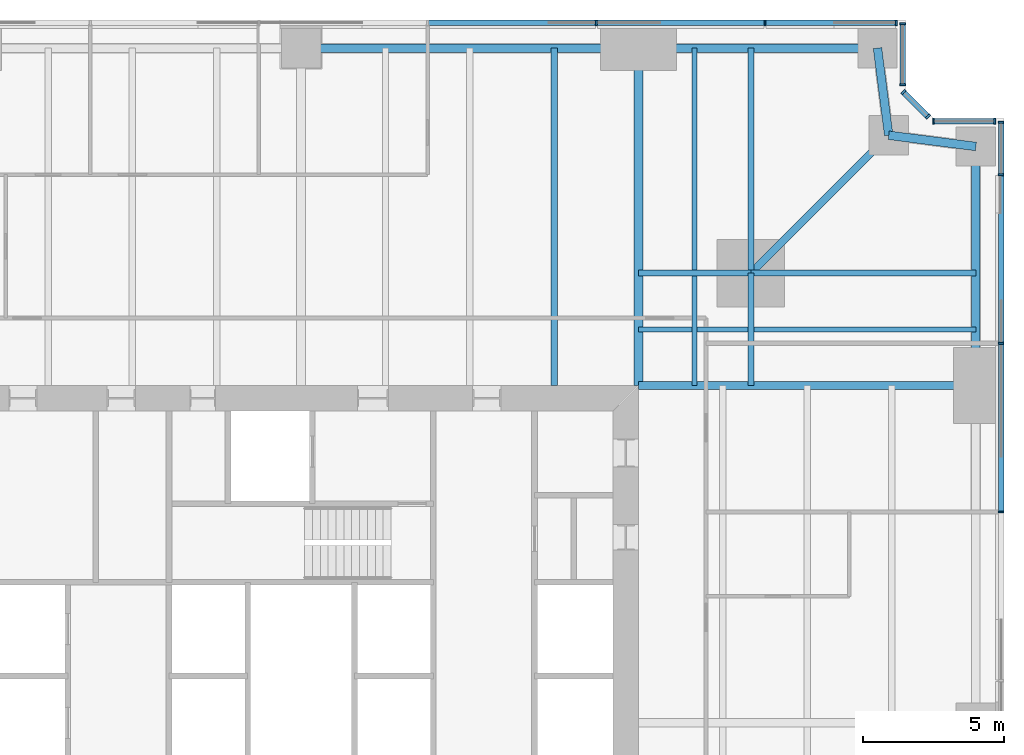
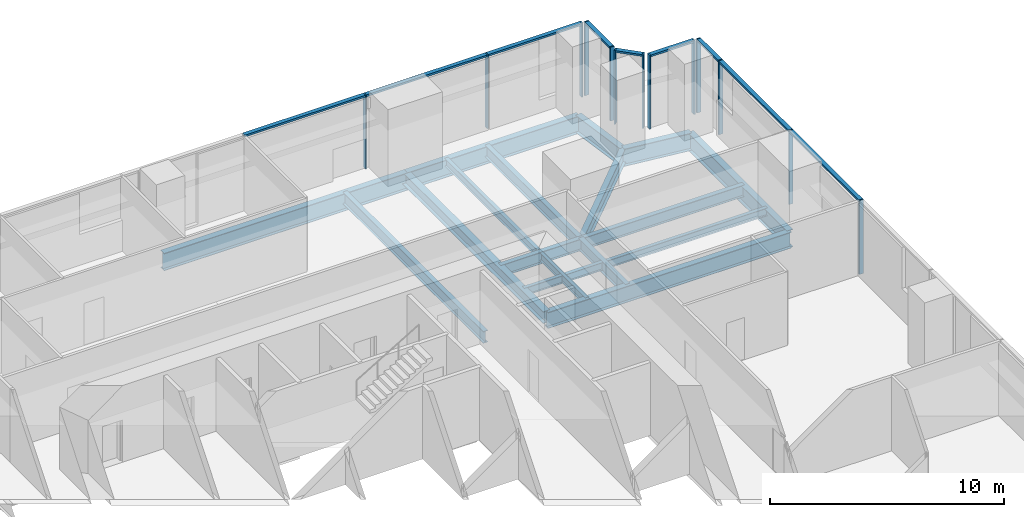
# One storey, part 7 of 14: 22 members, 18 beams, 5 elements without a shape of their own.
"""IFC4 building model written with IfcOpenShell, lengths in metres."""

from ifc_helpers import new_model, si_unit, direction, frame, origin, origin_2d, place, context, subcontext, project, spatial, rectangle, i_section, extrude, material, material_profile, profile_set, type_object, element, aggregate, save


model = new_model("IFC4")

# Units and contexts
model_context = context("Model", 3, precision=1e-05, world=origin(), true_north=direction((0.0, 1.0)))
body_context = subcontext(model_context, "Body", "Model", "MODEL_VIEW")
ifc_project = project(units=[si_unit("LENGTHUNIT", "METRE"), si_unit("AREAUNIT", "SQUARE_METRE"), si_unit("VOLUMEUNIT", "CUBIC_METRE"), si_unit("PLANEANGLEUNIT", "RADIAN"), si_unit("MASSUNIT", "GRAM", prefix="KILO")], contexts=[model_context])

# Site, building, storey
site_placement = place(None, origin())
site = spatial("IfcSite", under=ifc_project, at=site_placement, CompositionType="ELEMENT")
building_placement = place(site_placement, origin())
building = spatial("IfcBuilding", under=site, at=building_placement, Name="Fenwick Lantern Interchange", CompositionType="ELEMENT")
storey_placement = place(building_placement, frame((0.0, 0.0, 71.0)))
storey = spatial("IfcBuildingStorey", under=building, at=storey_placement, Name="L16", CompositionType="ELEMENT", Elevation=71.0)

# Beams
ifc_material_1 = material(Name="Steel ASTM A992 Grade 50", Category="steel")
ifc_material_profile_1 = material_profile(ifc_material_1, i_section(OverallWidth=0.3046875, OverallDepth=0.911865234375, WebThickness=0.015869140625, FlangeThickness=0.02392578125, at=origin_2d()), Name="W36X150")
ifc_profile_set_1 = profile_set([ifc_material_profile_1], Name="Steel ASTM A992 Grade 50")
beam_type_1 = type_object("IfcBeamType", Name="EDGE BEAM W36X150", PredefinedType="SPANDREL", material=ifc_profile_set_1)
beam_1_placement = place(storey_placement, frame((49.0, 37.0, -0.60595703125), z_axis=(0.0, 1.0, 0.0), x_axis=(-1.0, 0.0, 0.0)))
element("IfcBeam", 1, at=beam_1_placement, inside=storey, type_object=beam_type_1, Name="L16/FR/E/EB4", PredefinedType="SPANDREL", context=body_context, shape_type="SweptSolid", body=[
    extrude(i_section(OverallWidth=0.3046875, OverallDepth=0.911865234375, WebThickness=0.015869140625, FlangeThickness=0.02392578125, at=origin_2d()), origin(), (0.0, 0.0, 1.0), 8.5),
])
for number, where, z_axis, x_axis, name in (
    (2, (49.0, 45.5, -0.60595703125), (-0.991782342897, 0.127936641807, 0.0), (-0.127936641807, -0.991782342897, 0.0), "L16/FR/E/EBR1"),
    (3, (45.89990234375, 45.89990234375, -0.60595703125), (-0.127936641807, 0.991782342897, 0.0), (-0.991782342897, -0.127936641807, 0.0), "L16/FR/E/EBR2"),
):
    element("IfcBeam", number, at=place(storey_placement, frame(where, z_axis=z_axis, x_axis=x_axis)), inside=storey, type_object=beam_type_1, Name=name, PredefinedType="SPANDREL", context=body_context, shape_type="SweptSolid", body=[
        extrude(i_section(OverallWidth=0.3046875, OverallDepth=0.911865234375, WebThickness=0.015869140625, FlangeThickness=0.02392578125, at=origin_2d()), origin(), (0.0, 0.0, 1.0), 3.125732421875),
    ])
beam_2_placement = place(storey_placement, frame((45.5, 49.0, -0.60595703125), z_axis=(-1.0, 0.0, 0.0), x_axis=(0.0, -1.0, 0.0)))
element("IfcBeam", 4, at=beam_2_placement, inside=storey, type_object=beam_type_1, Name="L16/FR/N/EB1", PredefinedType="SPANDREL", context=body_context, shape_type="SweptSolid", body=[
    extrude(i_section(OverallWidth=0.3046875, OverallDepth=0.911865234375, WebThickness=0.015869140625, FlangeThickness=0.02392578125, at=origin_2d()), origin(), (0.0, 0.0, 1.0), 8.5),
])
beam_3_placement = place(storey_placement, frame((37.0, 49.0, -0.60595703125), z_axis=(-1.0, 0.0, 0.0), x_axis=(0.0, -1.0, 0.0)))
element("IfcBeam", 5, at=beam_3_placement, inside=storey, type_object=beam_type_1, Name="L16/FR/N/EB2", PredefinedType="SPANDREL", context=body_context, shape_type="SweptSolid", body=[
    extrude(i_section(OverallWidth=0.3046875, OverallDepth=0.911865234375, WebThickness=0.015869140625, FlangeThickness=0.02392578125, at=origin_2d()), origin(), (0.0, 0.0, 1.0), 12.0),
])
ifc_material_profile_2 = material_profile(ifc_material_1, i_section(OverallWidth=0.22900390625, OverallDepth=0.612060546875, WebThickness=0.011962890625, FlangeThickness=0.01953125, at=origin_2d()), Name="W24X84")
ifc_profile_set_2 = profile_set([ifc_material_profile_2], Name="Steel ASTM A992 Grade 50")
beam_type_2 = type_object("IfcBeamType", Name="FLOOR BEAM W24X84", PredefinedType="BEAM", material=ifc_profile_set_2)
beam_4_placement = place(storey_placement, frame((34.0, 49.0, -0.4560546875), z_axis=(0.0, -1.0, 0.0), x_axis=(1.0, 0.0, 0.0)))
element("IfcBeam", 6, at=beam_4_placement, inside=storey, type_object=beam_type_2, Name="L16/FR/N/R02", PredefinedType="BEAM", context=body_context, shape_type="SweptSolid", body=[
    extrude(i_section(OverallWidth=0.22900390625, OverallDepth=0.612060546875, WebThickness=0.011962890625, FlangeThickness=0.01953125, at=origin_2d()), origin(), (0.0, 0.0, 1.0), 12.0),
])
ifc_material_profile_3 = material_profile(ifc_material_1, i_section(OverallWidth=0.177734375, OverallDepth=0.406494140625, WebThickness=0.0078125, FlangeThickness=0.012939453125, at=origin_2d()), Name="W16X40")
ifc_profile_set_3 = profile_set([ifc_material_profile_3], Name="Steel ASTM A992 Grade 50")
beam_type_3 = type_object("IfcBeamType", Name="INFILL BEAM W16X40", PredefinedType="JOIST", material=ifc_profile_set_3)
beam_5_placement = place(storey_placement, frame((39.0, 49.0, -0.353271484375), z_axis=(0.0, -1.0, 0.0), x_axis=(1.0, 0.0, 0.0)))
element("IfcBeam", 7, at=beam_5_placement, inside=storey, type_object=beam_type_3, Name="L16/FR/N/J1", PredefinedType="JOIST", context=body_context, shape_type="SweptSolid", body=[
    extrude(i_section(OverallWidth=0.177734375, OverallDepth=0.406494140625, WebThickness=0.0078125, FlangeThickness=0.012939453125, at=origin_2d()), origin(), (0.0, 0.0, 1.0), 7.885498046875),
])
beam_6_placement = place(storey_placement, frame((39.0, 40.885498046875, -0.353271484375), z_axis=(0.0, -1.0, 0.0), x_axis=(1.0, 0.0, 0.0)))
element("IfcBeam", 8, at=beam_6_placement, inside=storey, type_object=beam_type_3, Name="L16/FR/N/J2", PredefinedType="JOIST", context=body_context, shape_type="SweptSolid", body=[
    extrude(i_section(OverallWidth=0.177734375, OverallDepth=0.406494140625, WebThickness=0.0078125, FlangeThickness=0.012939453125, at=origin_2d()), origin(), (0.0, 0.0, 1.0), 3.885498046875),
])
beam_7_placement = place(storey_placement, frame((49.0, 39.0, -0.353271484375), z_axis=(-1.0, 0.0, 0.0), x_axis=(0.0, -1.0, 0.0)))
element("IfcBeam", 9, at=beam_7_placement, inside=storey, type_object=beam_type_3, Name="L16/FR/N/J3", PredefinedType="JOIST", context=body_context, shape_type="SweptSolid", body=[
    extrude(i_section(OverallWidth=0.177734375, OverallDepth=0.406494140625, WebThickness=0.0078125, FlangeThickness=0.012939453125, at=origin_2d()), origin(), (0.0, 0.0, 1.0), 7.885498046875),
])
beam_8_placement = place(storey_placement, frame((40.885498046875, 39.0, -0.353271484375), z_axis=(-1.0, 0.0, 0.0), x_axis=(0.0, -1.0, 0.0)))
element("IfcBeam", 10, at=beam_8_placement, inside=storey, type_object=beam_type_3, Name="L16/FR/N/J4", PredefinedType="JOIST", context=body_context, shape_type="SweptSolid", body=[
    extrude(i_section(OverallWidth=0.177734375, OverallDepth=0.406494140625, WebThickness=0.0078125, FlangeThickness=0.012939453125, at=origin_2d()), origin(), (0.0, 0.0, 1.0), 1.796630859375),
])
beam_9_placement = place(storey_placement, frame((38.9111328125, 39.0, -0.353271484375), z_axis=(-1.0, 0.0, 0.0), x_axis=(0.0, -1.0, 0.0)))
element("IfcBeam", 11, at=beam_9_placement, inside=storey, type_object=beam_type_3, Name="L16/FR/N/J5", PredefinedType="JOIST", context=body_context, shape_type="SweptSolid", body=[
    extrude(i_section(OverallWidth=0.177734375, OverallDepth=0.406494140625, WebThickness=0.0078125, FlangeThickness=0.012939453125, at=origin_2d()), origin(), (0.0, 0.0, 1.0), 1.9111328125),
])
ifc_material_profile_4 = material_profile(ifc_material_1, i_section(OverallWidth=0.22900390625, OverallDepth=0.612060546875, WebThickness=0.011962890625, FlangeThickness=0.01953125, at=origin_2d()), Name="W24X84")
ifc_profile_set_4 = profile_set([ifc_material_profile_4], Name="Steel ASTM A992 Grade 50")
beam_type_4 = type_object("IfcBeamType", Name="MEGA COLUMN BEAM W24X84", PredefinedType="BEAM", material=ifc_profile_set_4)
for number, where, z_axis, x_axis, name in (
    (12, (41.0, 41.0, -0.4560546875), (0.0, 1.0, 0.0), (-1.0, 0.0, 0.0), "L16/FR/N/MB1"),
    (13, (41.0, 41.0, -0.4560546875), (1.0, 0.0, 0.0), (0.0, 1.0, 0.0), "L16/FR/N/MB2"),
):
    element("IfcBeam", number, at=place(storey_placement, frame(where, z_axis=z_axis, x_axis=x_axis)), inside=storey, type_object=beam_type_4, Name=name, PredefinedType="BEAM", context=body_context, shape_type="SweptSolid", body=[
        extrude(i_section(OverallWidth=0.22900390625, OverallDepth=0.612060546875, WebThickness=0.011962890625, FlangeThickness=0.01953125, at=origin_2d()), origin(), (0.0, 0.0, 1.0), 8.0),
    ])
for number, where, z_axis, x_axis, name in (
    (14, (41.0, 41.0, -0.4560546875), (-1.0, 0.0, 0.0), (0.0, -1.0, 0.0), "L16/FR/N/MB3"),
    (15, (41.0, 41.0, -0.4560546875), (0.0, -1.0, 0.0), (1.0, 0.0, 0.0), "L16/FR/N/MB4"),
):
    element("IfcBeam", number, at=place(storey_placement, frame(where, z_axis=z_axis, x_axis=x_axis)), inside=storey, type_object=beam_type_4, Name=name, PredefinedType="BEAM", context=body_context, shape_type="SweptSolid", body=[
        extrude(i_section(OverallWidth=0.22900390625, OverallDepth=0.612060546875, WebThickness=0.011962890625, FlangeThickness=0.01953125, at=origin_2d()), origin(), (0.0, 0.0, 1.0), 4.0),
    ])
ifc_material_profile_5 = material_profile(ifc_material_1, i_section(OverallWidth=0.32763671875, OverallDepth=0.622314453125, WebThickness=0.015380859375, FlangeThickness=0.0244140625, at=origin_2d()), Name="W24X131")
ifc_profile_set_5 = profile_set([ifc_material_profile_5], Name="Steel ASTM A992 Grade 50")
beam_type_5 = type_object("IfcBeamType", Name="MOMENT-CONNECTED GIRDER W24X131", PredefinedType="BEAM", material=ifc_profile_set_5)
beam_10_placement = place(storey_placement, frame((37.0, 49.0, -0.461181640625), z_axis=(0.0, -1.0, 0.0), x_axis=(1.0, 0.0, 0.0)))
element("IfcBeam", 16, at=beam_10_placement, inside=storey, type_object=beam_type_5, Name="L16/FR/N/R01", PredefinedType="BEAM", context=body_context, shape_type="SweptSolid", body=[
    extrude(i_section(OverallWidth=0.32763671875, OverallDepth=0.622314453125, WebThickness=0.015380859375, FlangeThickness=0.0244140625, at=origin_2d()), origin(), (0.0, 0.0, 1.0), 12.0),
])
ifc_material_profile_6 = material_profile(ifc_material_1, i_section(OverallWidth=0.2919921875, OverallDepth=0.845703125, WebThickness=0.015380859375, FlangeThickness=0.0244140625, at=origin_2d()), Name="W33X141")
ifc_profile_set_6 = profile_set([ifc_material_profile_6], Name="Steel ASTM A992 Grade 50")
beam_type_6 = type_object("IfcBeamType", Name="MOMENT-CONNECTED GIRDER W33X141", PredefinedType="BEAM", material=ifc_profile_set_6)
beam_11_placement = place(storey_placement, frame((49.0, 37.0, -0.572998046875), z_axis=(-1.0, 0.0, 0.0), x_axis=(0.0, -1.0, 0.0)))
element("IfcBeam", 17, at=beam_11_placement, inside=storey, type_object=beam_type_6, Name="L16/FR/E/R03", PredefinedType="BEAM", context=body_context, shape_type="SweptSolid", body=[
    extrude(i_section(OverallWidth=0.2919921875, OverallDepth=0.845703125, WebThickness=0.015380859375, FlangeThickness=0.0244140625, at=origin_2d()), origin(), (0.0, 0.0, 1.0), 12.0),
])
ifc_material_profile_7 = material_profile(ifc_material_1, i_section(OverallWidth=0.2666015625, OverallDepth=0.7568359375, WebThickness=0.013916015625, FlangeThickness=0.019287109375, at=origin_2d()), Name="W30X108")
ifc_profile_set_7 = profile_set([ifc_material_profile_7], Name="Steel ASTM A992 Grade 50")
beam_type_7 = type_object("IfcBeamType", Name="NOTCH BEAM W30X108", PredefinedType="BEAM", material=ifc_profile_set_7)
beam_12_placement = place(storey_placement, frame((41.0, 41.0, -0.528564453125), z_axis=(0.707106781187, 0.707106781187, 0.0), x_axis=(-0.707106781187, 0.707106781187, 0.0)))
element("IfcBeam", 18, at=beam_12_placement, inside=storey, type_object=beam_type_7, Name="L16/FR/N/TG", PredefinedType="BEAM", context=body_context, shape_type="SweptSolid", body=[
    extrude(i_section(OverallWidth=0.2666015625, OverallDepth=0.7568359375, WebThickness=0.013916015625, FlangeThickness=0.019287109375, at=origin_2d()), origin(), (0.0, 0.0, 1.0), 6.929443359375),
])

# Curtain wall, members
ifc_material_2 = material(Name="Aluminium curtain wall frame", Category="aluminium")
curtain_wall_type = type_object("IfcCurtainWallType", Name="OFFICE CURTAIN WALL", PredefinedType="USERDEFINED", material=ifc_material_2)
curtain_wall_1_placement = place(storey_placement, origin())
curtain_wall_1 = element("IfcCurtainWall", 19, at=curtain_wall_1_placement, inside=storey, type_object=curtain_wall_type, Name="Office curtain wall 05", ObjectType="OFFICE CURTAIN WALL", PredefinedType="USERDEFINED")
ifc_material_3 = material(Name="Aluminium extrusion", Category="aluminium")
ifc_material_profile_8 = material_profile(ifc_material_3, rectangle(XDim=0.199951171875, YDim=0.06494140625, at=origin_2d()), Name="OFFICE CURTAIN WALL MULLION 65 X 200")
ifc_profile_set_8 = profile_set([ifc_material_profile_8], Name="Aluminium extrusion")
member_type_1 = type_object("IfcMemberType", Name="OFFICE CURTAIN WALL MULLION 65 X 200", PredefinedType="MULLION", material=ifc_profile_set_8)
member_1_placement = place(storey_placement, frame((49.89990234375, 32.5, 0.0), z_axis=(0.0, 0.0, 1.0), x_axis=(-1.0, 0.0, 0.0)))
member_1 = element("IfcMember", 20, at=member_1_placement, type_object=member_type_1, Name="L16/CW/05/M05", PredefinedType="MULLION", context=body_context, shape_type="SweptSolid", body=[
    extrude(rectangle(XDim=0.199951171875, YDim=0.06494140625, at=origin_2d()), origin(), (0.0, 0.0, 1.0), 3.85009765625),
])
member_2_placement = place(storey_placement, frame((49.89990234375, 38.5, 0.0), z_axis=(0.0, 0.0, 1.0), x_axis=(-1.0, 0.0, 0.0)))
member_2 = element("IfcMember", 21, at=member_2_placement, type_object=member_type_1, Name="L16/CW/05/M06", PredefinedType="MULLION", context=body_context, shape_type="SweptSolid", body=[
    extrude(rectangle(XDim=0.199951171875, YDim=0.06494140625, at=origin_2d()), origin(), (0.0, 0.0, 1.0), 3.85009765625),
])
member_3_placement = place(storey_placement, frame((49.89990234375, 44.5, 0.0), z_axis=(0.0, 0.0, 1.0), x_axis=(-1.0, 0.0, 0.0)))
member_3 = element("IfcMember", 22, at=member_3_placement, type_object=member_type_1, Name="L16/CW/05/M07", PredefinedType="MULLION", context=body_context, shape_type="SweptSolid", body=[
    extrude(rectangle(XDim=0.199951171875, YDim=0.06494140625, at=origin_2d()), origin(), (0.0, 0.0, 1.0), 3.85009765625),
])
member_4_placement = place(storey_placement, frame((49.89990234375, 46.367431640625, 0.0), z_axis=(0.0, 0.0, 1.0), x_axis=(-1.0, 0.0, 0.0)))
member_4 = element("IfcMember", 23, at=member_4_placement, type_object=member_type_1, Name="L16/CW/05/M08", PredefinedType="MULLION", context=body_context, shape_type="SweptSolid", body=[
    extrude(rectangle(XDim=0.199951171875, YDim=0.06494140625, at=origin_2d()), origin(), (0.0, 0.0, 1.0), 3.85009765625),
])

curtain_wall_2_placement = place(storey_placement, origin())
curtain_wall_2 = element("IfcCurtainWall", 24, at=curtain_wall_2_placement, inside=storey, type_object=curtain_wall_type, Name="Office curtain wall 06", ObjectType="OFFICE CURTAIN WALL", PredefinedType="USERDEFINED")
member_5_placement = place(storey_placement, frame((49.66748046875, 46.39990234375, 0.0), z_axis=(0.0, 0.0, 1.0), x_axis=(0.0, -1.0, 0.0)))
member_5 = element("IfcMember", 25, at=member_5_placement, type_object=member_type_1, Name="L16/CW/06/M00", PredefinedType="MULLION", context=body_context, shape_type="SweptSolid", body=[
    extrude(rectangle(XDim=0.199951171875, YDim=0.06494140625, at=origin_2d()), origin(), (0.0, 0.0, 1.0), 3.85009765625),
])
member_6_placement = place(storey_placement, frame((47.490966796875, 46.39990234375, 0.0), z_axis=(0.0, 0.0, 1.0), x_axis=(0.0, -1.0, 0.0)))
member_6 = element("IfcMember", 26, at=member_6_placement, type_object=member_type_1, Name="L16/CW/06/M01", PredefinedType="MULLION", context=body_context, shape_type="SweptSolid", body=[
    extrude(rectangle(XDim=0.199951171875, YDim=0.06494140625, at=origin_2d()), origin(), (0.0, 0.0, 1.0), 3.85009765625),
])

curtain_wall_3_placement = place(storey_placement, origin())
curtain_wall_3 = element("IfcCurtainWall", 27, at=curtain_wall_3_placement, inside=storey, type_object=curtain_wall_type, Name="Office curtain wall 07", ObjectType="OFFICE CURTAIN WALL", PredefinedType="USERDEFINED")
member_7_placement = place(storey_placement, frame((47.294189453125, 46.564453125, 0.0), z_axis=(0.0, 0.0, 1.0), x_axis=(-0.707106781187, -0.707106781187, 0.0)))
member_7 = element("IfcMember", 28, at=member_7_placement, type_object=member_type_1, Name="L16/CW/07/M00", PredefinedType="MULLION", context=body_context, shape_type="SweptSolid", body=[
    extrude(rectangle(XDim=0.199951171875, YDim=0.06494140625, at=origin_2d()), origin(), (0.0, 0.0, 1.0), 3.85009765625),
])
member_8_placement = place(storey_placement, frame((46.423095703125, 47.435546875, 0.0), z_axis=(0.0, 0.0, 1.0), x_axis=(-0.707106781187, -0.707106781187, 0.0)))
member_8 = element("IfcMember", 29, at=member_8_placement, type_object=member_type_1, Name="L16/CW/07/M01", PredefinedType="MULLION", context=body_context, shape_type="SweptSolid", body=[
    extrude(rectangle(XDim=0.199951171875, YDim=0.06494140625, at=origin_2d()), origin(), (0.0, 0.0, 1.0), 3.85009765625),
])

curtain_wall_4_placement = place(storey_placement, origin())
curtain_wall_4 = element("IfcCurtainWall", 30, at=curtain_wall_4_placement, inside=storey, type_object=curtain_wall_type, Name="Office curtain wall 08", ObjectType="OFFICE CURTAIN WALL", PredefinedType="USERDEFINED")
member_9_placement = place(storey_placement, frame((46.39990234375, 47.691162109375, 0.0), z_axis=(0.0, 0.0, 1.0), x_axis=(-1.0, 0.0, 0.0)))
member_9 = element("IfcMember", 31, at=member_9_placement, type_object=member_type_1, Name="L16/CW/08/M00", PredefinedType="MULLION", context=body_context, shape_type="SweptSolid", body=[
    extrude(rectangle(XDim=0.199951171875, YDim=0.06494140625, at=origin_2d()), origin(), (0.0, 0.0, 1.0), 3.85009765625),
])
member_10_placement = place(storey_placement, frame((46.39990234375, 49.867431640625, 0.0), z_axis=(0.0, 0.0, 1.0), x_axis=(-1.0, 0.0, 0.0)))
member_10 = element("IfcMember", 32, at=member_10_placement, type_object=member_type_1, Name="L16/CW/08/M01", PredefinedType="MULLION", context=body_context, shape_type="SweptSolid", body=[
    extrude(rectangle(XDim=0.199951171875, YDim=0.06494140625, at=origin_2d()), origin(), (0.0, 0.0, 1.0), 3.85009765625),
])

curtain_wall_5_placement = place(storey_placement, origin())
curtain_wall_5 = element("IfcCurtainWall", 33, at=curtain_wall_5_placement, inside=storey, type_object=curtain_wall_type, Name="Office curtain wall 09", ObjectType="OFFICE CURTAIN WALL", PredefinedType="USERDEFINED")
member_11_placement = place(storey_placement, frame((46.16748046875, 49.89990234375, 0.0), z_axis=(0.0, 0.0, 1.0), x_axis=(0.0, -1.0, 0.0)))
member_11 = element("IfcMember", 34, at=member_11_placement, type_object=member_type_1, Name="L16/CW/09/M00", PredefinedType="MULLION", context=body_context, shape_type="SweptSolid", body=[
    extrude(rectangle(XDim=0.199951171875, YDim=0.06494140625, at=origin_2d()), origin(), (0.0, 0.0, 1.0), 3.85009765625),
])
member_12_placement = place(storey_placement, frame((41.5, 49.89990234375, 0.0), z_axis=(0.0, 0.0, 1.0), x_axis=(0.0, -1.0, 0.0)))
member_12 = element("IfcMember", 35, at=member_12_placement, type_object=member_type_1, Name="L16/CW/09/M01", PredefinedType="MULLION", context=body_context, shape_type="SweptSolid", body=[
    extrude(rectangle(XDim=0.199951171875, YDim=0.06494140625, at=origin_2d()), origin(), (0.0, 0.0, 1.0), 3.85009765625),
])
member_13_placement = place(storey_placement, frame((35.5, 49.89990234375, 0.0), z_axis=(0.0, 0.0, 1.0), x_axis=(0.0, -1.0, 0.0)))
member_13 = element("IfcMember", 36, at=member_13_placement, type_object=member_type_1, Name="L16/CW/09/M02", PredefinedType="MULLION", context=body_context, shape_type="SweptSolid", body=[
    extrude(rectangle(XDim=0.199951171875, YDim=0.06494140625, at=origin_2d()), origin(), (0.0, 0.0, 1.0), 3.85009765625),
])

# Member
ifc_material_profile_9 = material_profile(ifc_material_3, rectangle(XDim=0.199951171875, YDim=0.10009765625, at=origin_2d()), Name="OFFICE CURTAIN WALL TRANSOM 100 X 200")
ifc_profile_set_9 = profile_set([ifc_material_profile_9], Name="Aluminium extrusion")
member_type_2 = type_object("IfcMemberType", Name="OFFICE CURTAIN WALL TRANSOM 100 X 200", PredefinedType="MULLION", material=ifc_profile_set_9)
member_14_placement = place(storey_placement, frame((49.89990234375, 32.532470703125, 3.800048828125), z_axis=(0.0, 1.0, 0.0), x_axis=(-1.0, 0.0, 0.0)))
member_14 = element("IfcMember", 37, at=member_14_placement, type_object=member_type_2, Name="L16/CW/05/T05", PredefinedType="MULLION", context=body_context, shape_type="SweptSolid", body=[
    extrude(rectangle(XDim=0.199951171875, YDim=0.10009765625, at=origin_2d()), origin(), (0.0, 0.0, 1.0), 5.93505859375),
])

member_15_placement = place(storey_placement, frame((49.89990234375, 38.532470703125, 3.800048828125), z_axis=(0.0, 1.0, 0.0), x_axis=(-1.0, 0.0, 0.0)))
member_15 = element("IfcMember", 38, at=member_15_placement, type_object=member_type_2, Name="L16/CW/05/T06", PredefinedType="MULLION", context=body_context, shape_type="SweptSolid", body=[
    extrude(rectangle(XDim=0.199951171875, YDim=0.10009765625, at=origin_2d()), origin(), (0.0, 0.0, 1.0), 5.93505859375),
])

member_16_placement = place(storey_placement, frame((49.89990234375, 44.532470703125, 3.800048828125), z_axis=(0.0, 1.0, 0.0), x_axis=(-1.0, 0.0, 0.0)))
member_16 = element("IfcMember", 39, at=member_16_placement, type_object=member_type_2, Name="L16/CW/05/T07", PredefinedType="MULLION", context=body_context, shape_type="SweptSolid", body=[
    extrude(rectangle(XDim=0.199951171875, YDim=0.10009765625, at=origin_2d()), origin(), (0.0, 0.0, 1.0), 1.802490234375),
])

aggregate(curtain_wall_1, [member_1, member_2, member_3, member_4, member_14, member_15, member_16])

member_17_placement = place(storey_placement, frame((49.635009765625, 46.39990234375, 3.800048828125), z_axis=(-1.0, 0.0, 0.0), x_axis=(0.0, -1.0, 0.0)))
member_17 = element("IfcMember", 40, at=member_17_placement, type_object=member_type_2, Name="L16/CW/06/T00", PredefinedType="MULLION", context=body_context, shape_type="SweptSolid", body=[
    extrude(rectangle(XDim=0.199951171875, YDim=0.10009765625, at=origin_2d()), origin(), (0.0, 0.0, 1.0), 2.111328125),
])

aggregate(curtain_wall_2, [member_5, member_6, member_17])

member_18_placement = place(storey_placement, frame((47.271240234375, 46.58740234375, 3.800048828125), z_axis=(-0.707106781187, 0.707106781187, 0.0), x_axis=(-0.707106781187, -0.707106781187, 0.0)))
member_18 = element("IfcMember", 41, at=member_18_placement, type_object=member_type_2, Name="L16/CW/07/T00", PredefinedType="MULLION", context=body_context, shape_type="SweptSolid", body=[
    extrude(rectangle(XDim=0.199951171875, YDim=0.10009765625, at=origin_2d()), origin(), (0.0, 0.0, 1.0), 1.1669921875),
])

aggregate(curtain_wall_3, [member_7, member_8, member_18])

member_19_placement = place(storey_placement, frame((46.39990234375, 47.7236328125, 3.800048828125), z_axis=(0.0, 1.0, 0.0), x_axis=(-1.0, 0.0, 0.0)))
member_19 = element("IfcMember", 42, at=member_19_placement, type_object=member_type_2, Name="L16/CW/08/T00", PredefinedType="MULLION", context=body_context, shape_type="SweptSolid", body=[
    extrude(rectangle(XDim=0.199951171875, YDim=0.10009765625, at=origin_2d()), origin(), (0.0, 0.0, 1.0), 2.111328125),
])

aggregate(curtain_wall_4, [member_9, member_10, member_19])

member_20_placement = place(storey_placement, frame((46.135009765625, 49.89990234375, 3.800048828125), z_axis=(-1.0, 0.0, 0.0), x_axis=(0.0, -1.0, 0.0)))
member_20 = element("IfcMember", 43, at=member_20_placement, type_object=member_type_2, Name="L16/CW/09/T00", PredefinedType="MULLION", context=body_context, shape_type="SweptSolid", body=[
    extrude(rectangle(XDim=0.199951171875, YDim=0.10009765625, at=origin_2d()), origin(), (0.0, 0.0, 1.0), 4.6025390625),
])

member_21_placement = place(storey_placement, frame((41.467529296875, 49.89990234375, 3.800048828125), z_axis=(-1.0, 0.0, 0.0), x_axis=(0.0, -1.0, 0.0)))
member_21 = element("IfcMember", 44, at=member_21_placement, type_object=member_type_2, Name="L16/CW/09/T01", PredefinedType="MULLION", context=body_context, shape_type="SweptSolid", body=[
    extrude(rectangle(XDim=0.199951171875, YDim=0.10009765625, at=origin_2d()), origin(), (0.0, 0.0, 1.0), 5.93505859375),
])

member_22_placement = place(storey_placement, frame((35.467529296875, 49.89990234375, 3.800048828125), z_axis=(-1.0, 0.0, 0.0), x_axis=(0.0, -1.0, 0.0)))
member_22 = element("IfcMember", 45, at=member_22_placement, type_object=member_type_2, Name="L16/CW/09/T02", PredefinedType="MULLION", context=body_context, shape_type="SweptSolid", body=[
    extrude(rectangle(XDim=0.199951171875, YDim=0.10009765625, at=origin_2d()), origin(), (0.0, 0.0, 1.0), 5.93505859375),
])

aggregate(curtain_wall_5, [member_11, member_12, member_13, member_20, member_21, member_22])

save(model, "model.ifc")
